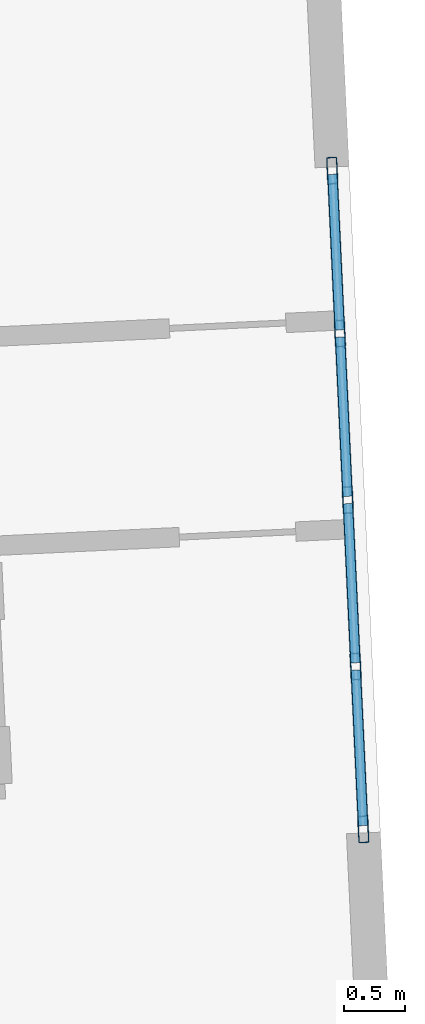
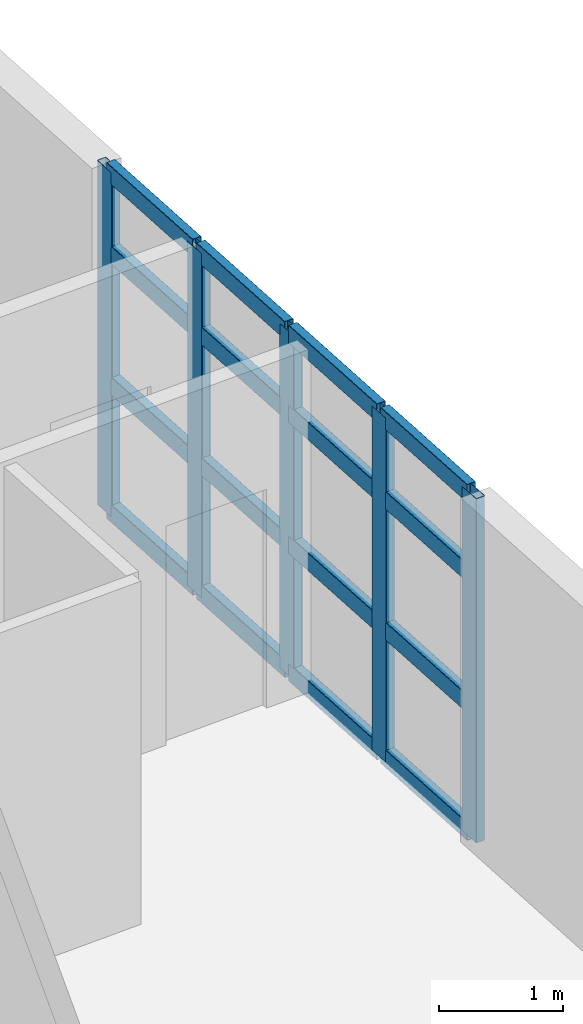
# One storey, part 8 of 22: 21 members, 1 element without a shape of its own.
"""IFC4 building model written with IfcOpenShell, lengths in metres."""

from ifc_helpers import new_model, si_unit, direction, frame, origin, origin_2d, place, context, subcontext, project, spatial, hollow_rectangle, extrude, material, layer, layer_set, material_profile, profile_set, type_object, element, aggregate, save


model = new_model("IFC4")

# Units and contexts
model_context = context("Model", 3, precision=1e-05, world=origin(), true_north=direction((0.0, 1.0)))
body_context = subcontext(model_context, "Body", "Model", "MODEL_VIEW")
ifc_project = project(units=[si_unit("LENGTHUNIT", "METRE"), si_unit("AREAUNIT", "SQUARE_METRE"), si_unit("VOLUMEUNIT", "CUBIC_METRE"), si_unit("PLANEANGLEUNIT", "RADIAN"), si_unit("MASSUNIT", "GRAM", prefix="KILO")], contexts=[model_context])

# Site, building, storey
site_placement = place(None, origin())
site = spatial("IfcSite", under=ifc_project, at=site_placement, CompositionType="ELEMENT")
building_placement = place(site_placement, origin())
building = spatial("IfcBuilding", under=site, at=building_placement, Name="Qingluan Cross Belvedere", CompositionType="ELEMENT")
storey_placement = place(building_placement, frame((0.0, 0.0, 196.800048828125)))
storey = spatial("IfcBuildingStorey", under=building, at=storey_placement, Name="L49", CompositionType="ELEMENT", Elevation=196.800048828125)

# Curtain wall, members
ifc_material_1 = material(Name="Thermally broken aluminium and Low-E glass", Category="aluminium")
ifc_layer = layer(ifc_material_1, 0.219970703125, Name="UnitisedCW_SkyLobbyHigh")
ifc_layer_set = layer_set([ifc_layer], Name="Thermally broken aluminium and Low-E glass")
curtain_wall_type = type_object("IfcCurtainWallType", Name="UnitisedCW_SkyLobbyHigh", PredefinedType="USERDEFINED", material=ifc_layer_set)
curtain_wall_placement = place(storey_placement, origin())
curtain_wall = element("IfcCurtainWall", 1, at=curtain_wall_placement, inside=storey, type_object=curtain_wall_type, Name="UnitisedCW_SkyLobbyHigh run env:cw:L49:E", ObjectType="UNITISED CURTAIN WALL", PredefinedType="USERDEFINED")
ifc_material_2 = material(Name="Aluminium alloy 6063-T6", Category="aluminium")
ifc_material_profile_1 = material_profile(ifc_material_2, hollow_rectangle(XDim=0.0849609375, YDim=0.219970703125, WallThickness=0.0048828125, InnerFilletRadius=0.0048828125, OuterFilletRadius=0.010009765625, at=origin_2d()), Name="CWM220x85x5")
ifc_profile_set_1 = profile_set([ifc_material_profile_1], Name="Aluminium alloy 6063-T6")
member_type_1 = type_object("IfcMemberType", Name="CWMullion_220", PredefinedType="MULLION", material=ifc_profile_set_1)
member_1_placement = place(storey_placement, frame((29.874755859375, -1.308349609375, 0.0), z_axis=(0.0, 0.0, 1.0), x_axis=(-0.998890085504, -0.04710198597, 0.0)))
member_1 = element("IfcMember", 2, at=member_1_placement, type_object=member_type_1, Name="CW-S2 mullion 1", PredefinedType="MULLION", context=body_context, shape_type="SweptSolid", body=[
    extrude(hollow_rectangle(XDim=0.0849609375, YDim=0.219970703125, WallThickness=0.0048828125, InnerFilletRadius=0.0048828125, OuterFilletRadius=0.010009765625, at=origin_2d()), origin(), (0.0, 0.0, 1.0), 3.3798828125),
])
member_2_placement = place(storey_placement, frame((29.8115234375, 0.0322265625, 0.0), z_axis=(0.0, 0.0, 1.0), x_axis=(-0.998890085504, -0.04710198597, 0.0)))
member_2 = element("IfcMember", 3, at=member_2_placement, type_object=member_type_1, Name="CW-S2 mullion 2", PredefinedType="MULLION", context=body_context, shape_type="SweptSolid", body=[
    extrude(hollow_rectangle(XDim=0.0849609375, YDim=0.219970703125, WallThickness=0.0048828125, InnerFilletRadius=0.0048828125, OuterFilletRadius=0.010009765625, at=origin_2d()), origin(), (0.0, 0.0, 1.0), 3.3798828125),
])
member_3_placement = place(storey_placement, frame((29.7470703125, 1.40283203125, 0.0), z_axis=(0.0, 0.0, 1.0), x_axis=(-0.998890085504, -0.04710198597, 0.0)))
member_3 = element("IfcMember", 4, at=member_3_placement, type_object=member_type_1, Name="CW-S2 mullion 3", PredefinedType="MULLION", context=body_context, shape_type="SweptSolid", body=[
    extrude(hollow_rectangle(XDim=0.0849609375, YDim=0.219970703125, WallThickness=0.0048828125, InnerFilletRadius=0.0048828125, OuterFilletRadius=0.010009765625, at=origin_2d()), origin(), (0.0, 0.0, 1.0), 3.3798828125),
])
member_4_placement = place(storey_placement, frame((29.682373046875, 2.773193359375, 0.0), z_axis=(0.0, 0.0, 1.0), x_axis=(-0.998890085504, -0.04710198597, 0.0)))
member_4 = element("IfcMember", 5, at=member_4_placement, type_object=member_type_1, Name="CW-S2 mullion 4", PredefinedType="MULLION", context=body_context, shape_type="SweptSolid", body=[
    extrude(hollow_rectangle(XDim=0.0849609375, YDim=0.219970703125, WallThickness=0.0048828125, InnerFilletRadius=0.0048828125, OuterFilletRadius=0.010009765625, at=origin_2d()), origin(), (0.0, 0.0, 1.0), 3.3798828125),
])
member_5_placement = place(storey_placement, frame((29.619140625, 4.11376953125, 0.0), z_axis=(0.0, 0.0, 1.0), x_axis=(-0.998890085504, -0.04710198597, 0.0)))
member_5 = element("IfcMember", 6, at=member_5_placement, type_object=member_type_1, Name="CW-S2 mullion 5", PredefinedType="MULLION", context=body_context, shape_type="SweptSolid", body=[
    extrude(hollow_rectangle(XDim=0.0849609375, YDim=0.219970703125, WallThickness=0.0048828125, InnerFilletRadius=0.0048828125, OuterFilletRadius=0.010009765625, at=origin_2d()), origin(), (0.0, 0.0, 1.0), 3.3798828125),
])
ifc_material_3 = material(Name="Aluminium alloy 6063-T6", Category="aluminium")
ifc_material_profile_2 = material_profile(ifc_material_3, hollow_rectangle(XDim=0.0849609375, YDim=0.179931640625, WallThickness=0.00390625, InnerFilletRadius=0.00390625, OuterFilletRadius=0.008056640625, at=origin_2d()), Name="CWT180x85x4")
ifc_profile_set_2 = profile_set([ifc_material_profile_2], Name="Aluminium alloy 6063-T6")
member_type_2 = type_object("IfcMemberType", Name="CWTransom_180", PredefinedType="USERDEFINED", material=ifc_profile_set_2)
member_6_placement = place(storey_placement, frame((29.873291015625, -1.2783203125, 0.030029296875), z_axis=(-0.047031390152, 0.998893411902, 0.0), x_axis=(-0.998893411902, -0.047031390152, 0.0)))
member_6 = element("IfcMember", 7, at=member_6_placement, type_object=member_type_2, Name="CW-S2 transom 1.1", ObjectType="TRANSOM", PredefinedType="USERDEFINED", context=body_context, shape_type="SweptSolid", body=[
    extrude(hollow_rectangle(XDim=0.0849609375, YDim=0.179931640625, WallThickness=0.00390625, InnerFilletRadius=0.00390625, OuterFilletRadius=0.008056640625, at=origin_2d()), origin(), (0.0, 0.0, 1.0), 1.2822265625),
])
member_7_placement = place(storey_placement, frame((29.873291015625, -1.2783203125, 1.283935546875), z_axis=(-0.047031390152, 0.998893411902, 0.0), x_axis=(-0.998893411902, -0.047031390152, 0.0)))
member_7 = element("IfcMember", 8, at=member_7_placement, type_object=member_type_2, Name="CW-S2 transom 1.2", ObjectType="TRANSOM", PredefinedType="USERDEFINED", context=body_context, shape_type="SweptSolid", body=[
    extrude(hollow_rectangle(XDim=0.0849609375, YDim=0.179931640625, WallThickness=0.00390625, InnerFilletRadius=0.00390625, OuterFilletRadius=0.008056640625, at=origin_2d()), origin(), (0.0, 0.0, 1.0), 1.2822265625),
])
member_8_placement = place(storey_placement, frame((29.873291015625, -1.2783203125, 2.56884765625), z_axis=(-0.047031390152, 0.998893411902, 0.0), x_axis=(-0.998893411902, -0.047031390152, 0.0)))
member_8 = element("IfcMember", 9, at=member_8_placement, type_object=member_type_2, Name="CW-S2 transom 1.3", ObjectType="TRANSOM", PredefinedType="USERDEFINED", context=body_context, shape_type="SweptSolid", body=[
    extrude(hollow_rectangle(XDim=0.0849609375, YDim=0.179931640625, WallThickness=0.00390625, InnerFilletRadius=0.00390625, OuterFilletRadius=0.008056640625, at=origin_2d()), origin(), (0.0, 0.0, 1.0), 1.2822265625),
])
member_9_placement = place(storey_placement, frame((29.873291015625, -1.2783203125, 3.349853515625), z_axis=(-0.047031390152, 0.998893411902, 0.0), x_axis=(-0.998893411902, -0.047031390152, 0.0)))
member_9 = element("IfcMember", 10, at=member_9_placement, type_object=member_type_2, Name="CW-S2 transom 1.4", ObjectType="TRANSOM", PredefinedType="USERDEFINED", context=body_context, shape_type="SweptSolid", body=[
    extrude(hollow_rectangle(XDim=0.0849609375, YDim=0.179931640625, WallThickness=0.00390625, InnerFilletRadius=0.00390625, OuterFilletRadius=0.008056640625, at=origin_2d()), origin(), (0.0, 0.0, 1.0), 1.2822265625),
])
member_10_placement = place(storey_placement, frame((29.81005859375, 0.062255859375, 0.030029296875), z_axis=(-0.04707888732, 0.998891174437, 0.0), x_axis=(-0.998891174437, -0.04707888732, 0.0)))
member_10 = element("IfcMember", 11, at=member_10_placement, type_object=member_type_2, Name="CW-S2 transom 2.1", ObjectType="TRANSOM", PredefinedType="USERDEFINED", context=body_context, shape_type="SweptSolid", body=[
    extrude(hollow_rectangle(XDim=0.0849609375, YDim=0.179931640625, WallThickness=0.00390625, InnerFilletRadius=0.00390625, OuterFilletRadius=0.008056640625, at=origin_2d()), origin(), (0.0, 0.0, 1.0), 1.31201171875),
])
member_11_placement = place(storey_placement, frame((29.81005859375, 0.062255859375, 1.283935546875), z_axis=(-0.04707888732, 0.998891174437, 0.0), x_axis=(-0.998891174437, -0.04707888732, 0.0)))
member_11 = element("IfcMember", 12, at=member_11_placement, type_object=member_type_2, Name="CW-S2 transom 2.2", ObjectType="TRANSOM", PredefinedType="USERDEFINED", context=body_context, shape_type="SweptSolid", body=[
    extrude(hollow_rectangle(XDim=0.0849609375, YDim=0.179931640625, WallThickness=0.00390625, InnerFilletRadius=0.00390625, OuterFilletRadius=0.008056640625, at=origin_2d()), origin(), (0.0, 0.0, 1.0), 1.31201171875),
])
member_12_placement = place(storey_placement, frame((29.81005859375, 0.062255859375, 2.56884765625), z_axis=(-0.04707888732, 0.998891174437, 0.0), x_axis=(-0.998891174437, -0.04707888732, 0.0)))
member_12 = element("IfcMember", 13, at=member_12_placement, type_object=member_type_2, Name="CW-S2 transom 2.3", ObjectType="TRANSOM", PredefinedType="USERDEFINED", context=body_context, shape_type="SweptSolid", body=[
    extrude(hollow_rectangle(XDim=0.0849609375, YDim=0.179931640625, WallThickness=0.00390625, InnerFilletRadius=0.00390625, OuterFilletRadius=0.008056640625, at=origin_2d()), origin(), (0.0, 0.0, 1.0), 1.31201171875),
])
member_13_placement = place(storey_placement, frame((29.81005859375, 0.062255859375, 3.349853515625), z_axis=(-0.04707888732, 0.998891174437, 0.0), x_axis=(-0.998891174437, -0.04707888732, 0.0)))
member_13 = element("IfcMember", 14, at=member_13_placement, type_object=member_type_2, Name="CW-S2 transom 2.4", ObjectType="TRANSOM", PredefinedType="USERDEFINED", context=body_context, shape_type="SweptSolid", body=[
    extrude(hollow_rectangle(XDim=0.0849609375, YDim=0.179931640625, WallThickness=0.00390625, InnerFilletRadius=0.00390625, OuterFilletRadius=0.008056640625, at=origin_2d()), origin(), (0.0, 0.0, 1.0), 1.31201171875),
])
member_14_placement = place(storey_placement, frame((29.74560546875, 1.432861328125, 0.030029296875), z_axis=(-0.04707888732, 0.998891174437, 0.0), x_axis=(-0.998891174437, -0.04707888732, 0.0)))
member_14 = element("IfcMember", 15, at=member_14_placement, type_object=member_type_2, Name="CW-S2 transom 3.1", ObjectType="TRANSOM", PredefinedType="USERDEFINED", context=body_context, shape_type="SweptSolid", body=[
    extrude(hollow_rectangle(XDim=0.0849609375, YDim=0.179931640625, WallThickness=0.00390625, InnerFilletRadius=0.00390625, OuterFilletRadius=0.008056640625, at=origin_2d()), origin(), (0.0, 0.0, 1.0), 1.31201171875),
])
member_15_placement = place(storey_placement, frame((29.74560546875, 1.432861328125, 1.283935546875), z_axis=(-0.04707888732, 0.998891174437, 0.0), x_axis=(-0.998891174437, -0.04707888732, 0.0)))
member_15 = element("IfcMember", 16, at=member_15_placement, type_object=member_type_2, Name="CW-S2 transom 3.2", ObjectType="TRANSOM", PredefinedType="USERDEFINED", context=body_context, shape_type="SweptSolid", body=[
    extrude(hollow_rectangle(XDim=0.0849609375, YDim=0.179931640625, WallThickness=0.00390625, InnerFilletRadius=0.00390625, OuterFilletRadius=0.008056640625, at=origin_2d()), origin(), (0.0, 0.0, 1.0), 1.31201171875),
])
member_16_placement = place(storey_placement, frame((29.74560546875, 1.432861328125, 2.56884765625), z_axis=(-0.04707888732, 0.998891174437, 0.0), x_axis=(-0.998891174437, -0.04707888732, 0.0)))
member_16 = element("IfcMember", 17, at=member_16_placement, type_object=member_type_2, Name="CW-S2 transom 3.3", ObjectType="TRANSOM", PredefinedType="USERDEFINED", context=body_context, shape_type="SweptSolid", body=[
    extrude(hollow_rectangle(XDim=0.0849609375, YDim=0.179931640625, WallThickness=0.00390625, InnerFilletRadius=0.00390625, OuterFilletRadius=0.008056640625, at=origin_2d()), origin(), (0.0, 0.0, 1.0), 1.31201171875),
])
member_17_placement = place(storey_placement, frame((29.74560546875, 1.432861328125, 3.349853515625), z_axis=(-0.04707888732, 0.998891174437, 0.0), x_axis=(-0.998891174437, -0.04707888732, 0.0)))
member_17 = element("IfcMember", 18, at=member_17_placement, type_object=member_type_2, Name="CW-S2 transom 3.4", ObjectType="TRANSOM", PredefinedType="USERDEFINED", context=body_context, shape_type="SweptSolid", body=[
    extrude(hollow_rectangle(XDim=0.0849609375, YDim=0.179931640625, WallThickness=0.00390625, InnerFilletRadius=0.00390625, OuterFilletRadius=0.008056640625, at=origin_2d()), origin(), (0.0, 0.0, 1.0), 1.31201171875),
])
member_18_placement = place(storey_placement, frame((29.680908203125, 2.80322265625, 0.030029296875), z_axis=(-0.047031390152, 0.998893411902, 0.0), x_axis=(-0.998893411902, -0.047031390152, 0.0)))
member_18 = element("IfcMember", 19, at=member_18_placement, type_object=member_type_2, Name="CW-S2 transom 4.1", ObjectType="TRANSOM", PredefinedType="USERDEFINED", context=body_context, shape_type="SweptSolid", body=[
    extrude(hollow_rectangle(XDim=0.0849609375, YDim=0.179931640625, WallThickness=0.00390625, InnerFilletRadius=0.00390625, OuterFilletRadius=0.008056640625, at=origin_2d()), origin(), (0.0, 0.0, 1.0), 1.2822265625),
])
member_19_placement = place(storey_placement, frame((29.680908203125, 2.80322265625, 1.283935546875), z_axis=(-0.047031390152, 0.998893411902, 0.0), x_axis=(-0.998893411902, -0.047031390152, 0.0)))
member_19 = element("IfcMember", 20, at=member_19_placement, type_object=member_type_2, Name="CW-S2 transom 4.2", ObjectType="TRANSOM", PredefinedType="USERDEFINED", context=body_context, shape_type="SweptSolid", body=[
    extrude(hollow_rectangle(XDim=0.0849609375, YDim=0.179931640625, WallThickness=0.00390625, InnerFilletRadius=0.00390625, OuterFilletRadius=0.008056640625, at=origin_2d()), origin(), (0.0, 0.0, 1.0), 1.2822265625),
])
member_20_placement = place(storey_placement, frame((29.680908203125, 2.80322265625, 2.56884765625), z_axis=(-0.047031390152, 0.998893411902, 0.0), x_axis=(-0.998893411902, -0.047031390152, 0.0)))
member_20 = element("IfcMember", 21, at=member_20_placement, type_object=member_type_2, Name="CW-S2 transom 4.3", ObjectType="TRANSOM", PredefinedType="USERDEFINED", context=body_context, shape_type="SweptSolid", body=[
    extrude(hollow_rectangle(XDim=0.0849609375, YDim=0.179931640625, WallThickness=0.00390625, InnerFilletRadius=0.00390625, OuterFilletRadius=0.008056640625, at=origin_2d()), origin(), (0.0, 0.0, 1.0), 1.2822265625),
])
member_21_placement = place(storey_placement, frame((29.680908203125, 2.80322265625, 3.349853515625), z_axis=(-0.047031390152, 0.998893411902, 0.0), x_axis=(-0.998893411902, -0.047031390152, 0.0)))
member_21 = element("IfcMember", 22, at=member_21_placement, type_object=member_type_2, Name="CW-S2 transom 4.4", ObjectType="TRANSOM", PredefinedType="USERDEFINED", context=body_context, shape_type="SweptSolid", body=[
    extrude(hollow_rectangle(XDim=0.0849609375, YDim=0.179931640625, WallThickness=0.00390625, InnerFilletRadius=0.00390625, OuterFilletRadius=0.008056640625, at=origin_2d()), origin(), (0.0, 0.0, 1.0), 1.2822265625),
])
aggregate(curtain_wall, [member_1, member_2, member_3, member_4, member_5, member_6, member_7, member_8, member_9, member_10, member_11, member_12, member_13, member_14, member_15, member_16, member_17, member_18, member_19, member_20, member_21])

save(model, "model.ifc")
